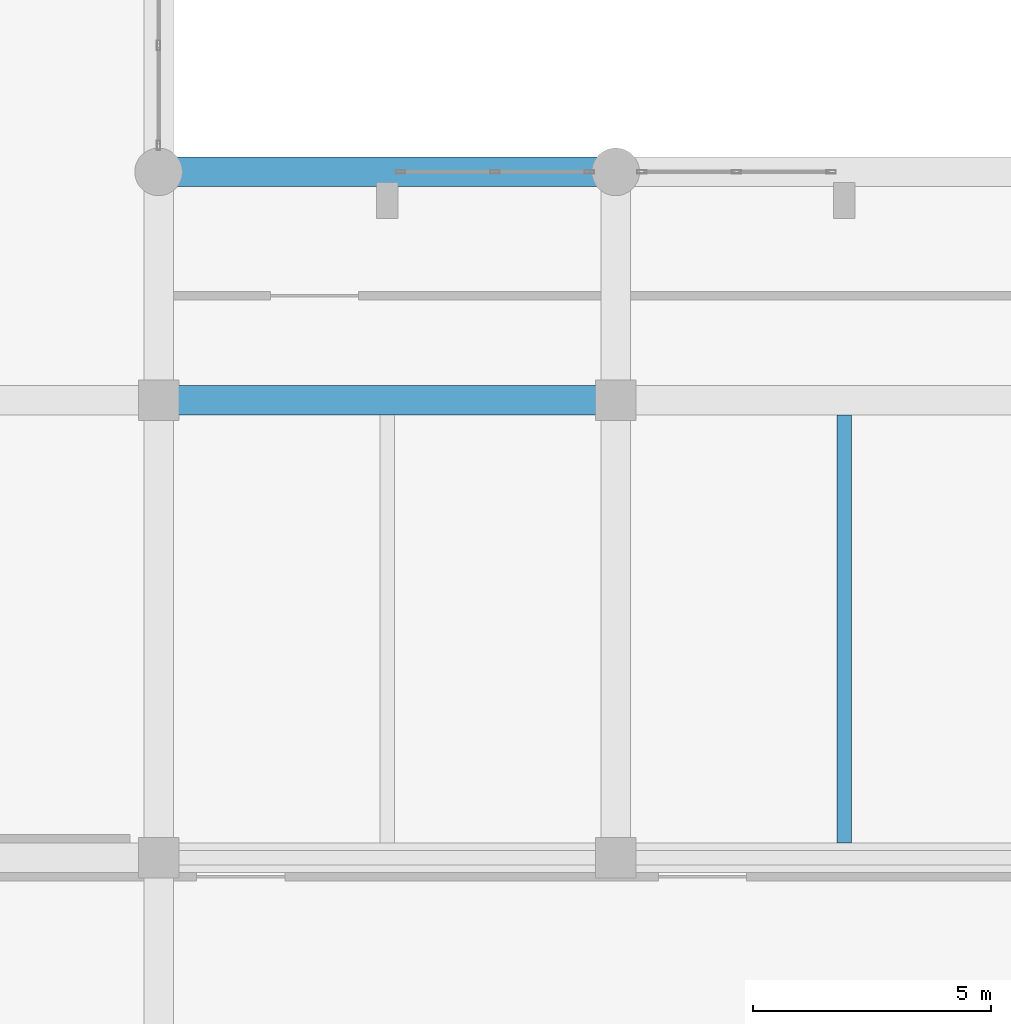
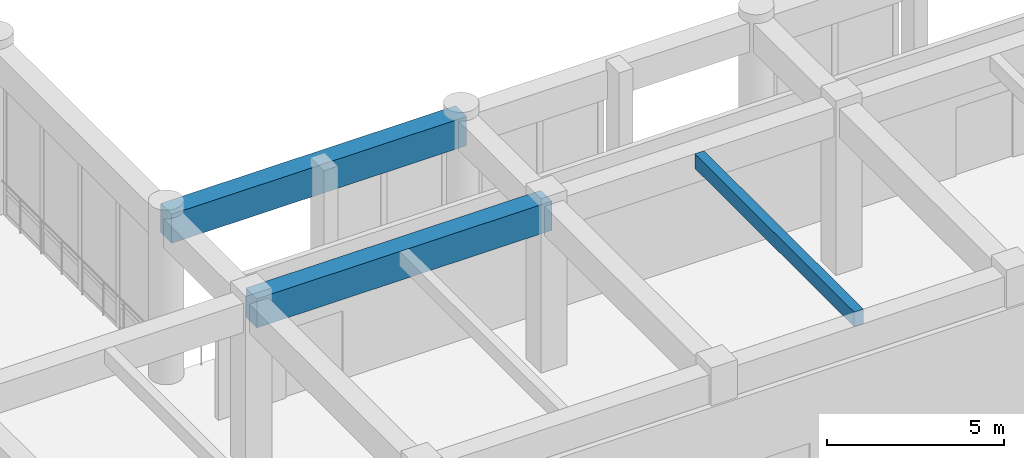
# One storey, part 17 of 87: 3 beams.
"""IFC4 building model written with IfcOpenShell, lengths in metres."""

from ifc_helpers import new_model, si_unit, direction, frame, origin, origin_2d, place, context, subcontext, project, spatial, rectangle, extrude, material, material_profile, profile_set, type_object, element, save


model = new_model("IFC4")

# Units and contexts
model_context = context("Model", 3, precision=1e-05, world=origin(), true_north=direction((0.0, 1.0)))
body_context = subcontext(model_context, "Body", "Model", "MODEL_VIEW")
ifc_project = project(units=[si_unit("LENGTHUNIT", "METRE"), si_unit("AREAUNIT", "SQUARE_METRE"), si_unit("VOLUMEUNIT", "CUBIC_METRE"), si_unit("PLANEANGLEUNIT", "RADIAN"), si_unit("MASSUNIT", "GRAM", prefix="KILO")], contexts=[model_context])

# Site, building, storey
site_placement = place(None, origin())
site = spatial("IfcSite", under=ifc_project, at=site_placement, CompositionType="ELEMENT")
building_placement = place(site_placement, origin())
building = spatial("IfcBuilding", under=site, at=building_placement, Name="Nakhvara Creek Congress Hotel", CompositionType="ELEMENT")
storey_placement = place(building_placement, origin())
storey = spatial("IfcBuildingStorey", under=building, at=storey_placement, Name="L00", CompositionType="ELEMENT", Elevation=0.0)

# Beams
ifc_material_1 = material(Name="Concrete C40/50", Category="concrete")
ifc_material_profile_1 = material_profile(ifc_material_1, rectangle(XDim=0.300048828125, YDim=0.5, at=origin_2d()), Name="RC-BM 300x500", Category="LoadBearing")
ifc_profile_set_1 = profile_set([ifc_material_profile_1], Name="Concrete C40/50")
beam_type_1 = type_object("IfcBeamType", Name="BM-JST-300X500", PredefinedType="JOIST", material=ifc_profile_set_1)
beam_placement = place(storey_placement, frame((91.199951171875, 29.110107421875, 5.449951171875), z_axis=(0.0, 1.0, 0.0), x_axis=(-1.0, 0.0, 0.0)))
element("IfcBeam", 1, at=beam_placement, inside=storey, type_object=beam_type_1, Name="Secondary Joist BJ1-L00-1038", PredefinedType="JOIST", context=body_context, shape_type="SweptSolid", body=[
    extrude(rectangle(XDim=0.300048828125, YDim=0.5, at=origin_2d()), origin(), (0.0, 0.0, 1.0), 8.97998046875),
])
ifc_material_2 = material(Name="Concrete C50/60", Category="concrete")
ifc_material_profile_2 = material_profile(ifc_material_2, rectangle(XDim=0.6201171875, YDim=1.0, at=origin_2d()), Name="RC-BM 620x1000", Category="LoadBearing")
ifc_profile_set_2 = profile_set([ifc_material_profile_2], Name="Concrete C50/60")
beam_type_2 = type_object("IfcBeamType", Name="BM-RC-620X1000", PredefinedType="BEAM", material=ifc_profile_set_2)
for number, where, z_axis, x_axis, name in (
    (2, (76.800048828125, 38.39990234375, 5.199951171875), (1.0, 0.0, 0.0), (0.0, 1.0, 0.0), "Beam B16-L00-0818"),
    (3, (76.800048828125, 43.199951171875, 5.199951171875), (1.0, 0.0, 0.0), (0.0, 1.0, 0.0), "Beam B16-L00-0820"),
):
    element("IfcBeam", number, at=place(storey_placement, frame(where, z_axis=z_axis, x_axis=x_axis)), inside=storey, type_object=beam_type_2, Name=name, PredefinedType="BEAM", context=body_context, shape_type="SweptSolid", body=[
        extrude(rectangle(XDim=0.6201171875, YDim=1.0, at=origin_2d()), origin(), (0.0, 0.0, 1.0), 9.599853515625),
    ])

save(model, "model.ifc")
